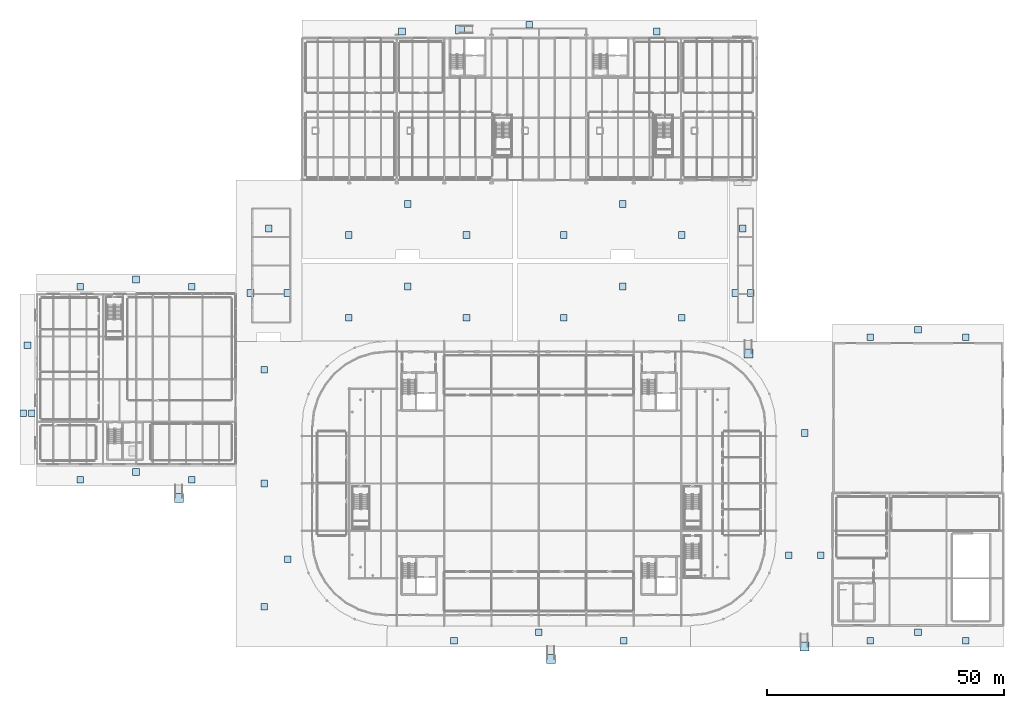
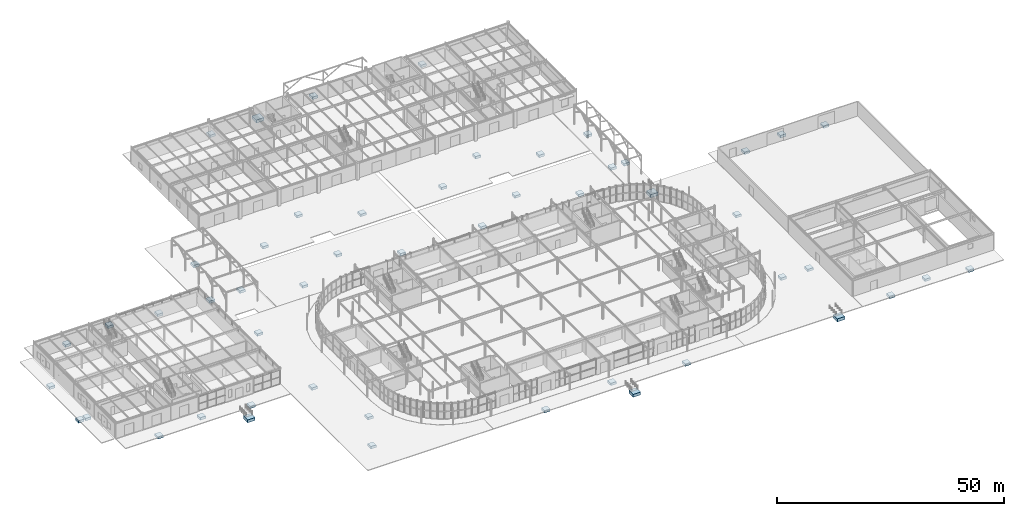
# One storey, part 1 of 119: 51 footings.
"""IFC4 building model written with IfcOpenShell, lengths in metres."""

from ifc_helpers import new_model, si_unit, derived_unit, direction, frame, origin, origin_2d_with_axis, place, context, subcontext, project, spatial, rectangle, extrude, material, layer, layer_set, type_object, element, save


model = new_model("IFC4")

# Units and contexts
model_context = context("Model", 3, precision=1e-05, world=origin(), true_north=direction((0.0, 1.0)))
body_context = subcontext(model_context, "Body", "Model", "MODEL_VIEW")
ifc_project = project(units=[si_unit("LENGTHUNIT", "METRE"), si_unit("AREAUNIT", "SQUARE_METRE"), si_unit("VOLUMEUNIT", "CUBIC_METRE"), si_unit("PLANEANGLEUNIT", "RADIAN"), si_unit("MASSUNIT", "GRAM", prefix="KILO"), derived_unit("THERMALTRANSMITTANCEUNIT", [(si_unit("POWERUNIT", "WATT"), 1), (si_unit("LENGTHUNIT", "METRE"), -2), (si_unit("THERMODYNAMICTEMPERATUREUNIT", "KELVIN"), -1)])], contexts=[model_context])

# Site, building, storey
site_placement = place(None, origin())
site = spatial("IfcSite", under=ifc_project, at=site_placement, CompositionType="ELEMENT")
building_placement = place(site_placement, origin())
building = spatial("IfcBuilding", under=site, at=building_placement, Name="Cinnabar Yard Market Hall", CompositionType="ELEMENT")
storey_placement = place(building_placement, origin())
storey = spatial("IfcBuildingStorey", under=building, at=storey_placement, Name="L00", CompositionType="ELEMENT", Elevation=0.0)

# Footings
ifc_material = material(Name="Concrete 40 MPa", Category="concrete")
ifc_layer_1 = layer(ifc_material, 0.64990234375)
ifc_layer_set_1 = layer_set([ifc_layer_1], Name="Concrete 40 MPa")
footing_type_1 = type_object("IfcFootingType", Name="FT-PF01", PredefinedType="PAD_FOOTING", material=ifc_layer_set_1)
for number, where, z_axis, x_axis, name in (
    (1, (75.867919921875, 78.964111328125, -0.869873046875), (0.0, 0.0, 1.0), (1.0, 0.0, 0.0), "Apron Bearing Pad APR-CHAR-SW-1"),
    (2, (100.73193359375, 78.964111328125, -0.869873046875), (0.0, 0.0, 1.0), (1.0, 0.0, 0.0), "Apron Bearing Pad APR-CHAR-SW-2"),
    (3, (88.300048828125, 85.555908203125, -0.869873046875), (0.0, 0.0, 1.0), (1.0, 0.0, 0.0), "Apron Bearing Pad APR-CHAR-SW-3"),
    (4, (121.26806640625, 78.964111328125, -0.869873046875), (0.0, 0.0, 1.0), (1.0, 0.0, 0.0), "Apron Bearing Pad APR-CHAR-SE-1"),
    (5, (146.132080078125, 78.964111328125, -0.869873046875), (0.0, 0.0, 1.0), (1.0, 0.0, 0.0), "Apron Bearing Pad APR-CHAR-SE-2"),
    (6, (133.699951171875, 85.555908203125, -0.869873046875), (0.0, 0.0, 1.0), (1.0, 0.0, 0.0), "Apron Bearing Pad APR-CHAR-SE-3"),
    (7, (75.867919921875, 96.419921875, -0.869873046875), (0.0, 0.0, 1.0), (1.0, 0.0, 0.0), "Apron Bearing Pad APR-CHAR-NW-1"),
    (8, (100.73193359375, 96.419921875, -0.869873046875), (0.0, 0.0, 1.0), (1.0, 0.0, 0.0), "Apron Bearing Pad APR-CHAR-NW-2"),
    (9, (88.300048828125, 102.97998046875, -0.869873046875), (0.0, 0.0, 1.0), (1.0, 0.0, 0.0), "Apron Bearing Pad APR-CHAR-NW-3"),
    (10, (121.26806640625, 96.419921875, -0.869873046875), (0.0, 0.0, 1.0), (1.0, 0.0, 0.0), "Apron Bearing Pad APR-CHAR-NE-1"),
    (11, (146.132080078125, 96.419921875, -0.869873046875), (0.0, 0.0, 1.0), (1.0, 0.0, 0.0), "Apron Bearing Pad APR-CHAR-NE-2"),
    (12, (133.699951171875, 102.97998046875, -0.869873046875), (0.0, 0.0, 1.0), (1.0, 0.0, 0.0), "Apron Bearing Pad APR-CHAR-NE-3"),
    (13, (55.135986328125, 84.199951171875, -0.849853515625), (0.0, 0.0, 1.0), (1.0, 0.0, 0.0), "Apron Bearing Pad APR-PASG-W-1"),
    (14, (62.864013671875, 84.199951171875, -0.849853515625), (0.0, 0.0, 1.0), (1.0, 0.0, 0.0), "Apron Bearing Pad APR-PASG-W-2"),
    (15, (59.0, 97.800048828125, -0.849853515625), (0.0, 0.0, 1.0), (1.0, 0.0, 0.0), "Apron Bearing Pad APR-PASG-W-3"),
    (16, (157.39794921875, 84.199951171875, -0.849853515625), (0.0, 0.0, 1.0), (1.0, 0.0, 0.0), "Apron Bearing Pad APR-PASG-E-1"),
    (17, (160.701904296875, 84.199951171875, -0.849853515625), (0.0, 0.0, 1.0), (1.0, 0.0, 0.0), "Apron Bearing Pad APR-PASG-E-2"),
    (18, (159.050048828125, 97.800048828125, -0.849853515625), (0.0, 0.0, 1.0), (1.0, 0.0, 0.0), "Apron Bearing Pad APR-PASG-E-3"),
    (19, (87.1201171875, 139.385009765625, -0.869873046875), (0.0, 0.0, 1.0), (1.0, 0.0, 0.0), "Apron Bearing Pad APR-NORTH-1"),
    (20, (140.8798828125, 139.385009765625, -0.869873046875), (0.0, 0.0, 1.0), (1.0, 0.0, 0.0), "Apron Bearing Pad APR-NORTH-2"),
    (21, (114.0, 140.764892578125, -0.869873046875), (0.0, 0.0, 1.0), (1.0, 0.0, 0.0), "Apron Bearing Pad APR-NORTH-3"),
    (22, (98.080078125, 10.837890625, -0.869873046875), (0.0, 0.0, 1.0), (1.0, 0.0, 0.0), "Apron Bearing Pad APR-SOUTH-1"),
    (23, (133.919921875, 10.837890625, -0.869873046875), (0.0, 0.0, 1.0), (1.0, 0.0, 0.0), "Apron Bearing Pad APR-SOUTH-2"),
    (24, (116.0, 12.6220703125, -0.869873046875), (0.0, 0.0, 1.0), (1.0, 0.0, 0.0), "Apron Bearing Pad APR-SOUTH-3"),
    (25, (58.0, 18.0, -0.869873046875), (0.0, 0.0, 1.0), (1.0, 0.0, 0.0), "Forecourt Pad 1"),
    (26, (58.0, 44.0, -0.869873046875), (0.0, 0.0, 1.0), (1.0, 0.0, 0.0), "Forecourt Pad 2"),
    (27, (58.0, 68.0, -0.869873046875), (0.0, 0.0, 1.0), (1.0, 0.0, 0.0), "Forecourt Pad 3"),
    (28, (63.0, 28.0, -0.869873046875), (0.0, 0.0, 1.0), (1.0, 0.0, 0.0), "Forecourt Pad 4"),
    (29, (19.23095703125, 44.7451171875, -0.869873046875), (0.0, 0.0, 1.0), (1.0, 0.0, 0.0), "Apron Bearing Pad APR-WEST-V2-1"),
    (30, (42.72900390625, 44.7451171875, -0.869873046875), (0.0, 0.0, 1.0), (1.0, 0.0, 0.0), "Apron Bearing Pad APR-WEST-V2-2"),
    (31, (30.97998046875, 46.405029296875, -0.869873046875), (0.0, 0.0, 1.0), (1.0, 0.0, 0.0), "Apron Bearing Pad APR-WEST-V2-3"),
    (32, (19.23095703125, 85.5048828125, -0.869873046875), (0.0, 0.0, 1.0), (1.0, 0.0, 0.0), "Apron Bearing Pad APR-NORTH-V2-1"),
    (33, (42.72900390625, 85.5048828125, -0.869873046875), (0.0, 0.0, 1.0), (1.0, 0.0, 0.0), "Apron Bearing Pad APR-NORTH-V2-2"),
    (34, (30.97998046875, 87.044921875, -0.869873046875), (0.0, 0.0, 1.0), (1.0, 0.0, 0.0), "Apron Bearing Pad APR-NORTH-V2-3"),
    (35, (7.193115234375, 58.800048828125, -0.869873046875), (0.0, 0.0, 1.0), (1.0, 0.0, 0.0), "Apron Bearing Pad APR-WEST2-V2-1"),
    (36, (8.95703125, 58.800048828125, -0.869873046875), (0.0, 0.0, 1.0), (1.0, 0.0, 0.0), "Apron Bearing Pad APR-WEST2-V2-2"),
    (37, (8.074951171875, 73.199951171875, -0.869873046875), (0.0, 0.0, 1.0), (1.0, 0.0, 0.0), "Apron Bearing Pad APR-WEST2-V2-3"),
    (38, (168.7109375, 28.85009765625, -0.869873046875), (0.0, 0.0, 1.0), (1.0, 0.0, 0.0), "Apron Bearing Pad APR-EAST-LINK-1"),
    (39, (175.509033203125, 28.85009765625, -0.869873046875), (0.0, 0.0, 1.0), (1.0, 0.0, 0.0), "Apron Bearing Pad APR-EAST-LINK-2"),
    (40, (172.110107421875, 54.64990234375, -0.869873046875), (0.0, 0.0, 1.0), (1.0, 0.0, 0.0), "Apron Bearing Pad APR-EAST-LINK-3"),
    (41, (185.919921875, 74.81396484375, -0.869873046875), (0.0, 0.0, 1.0), (1.0, 0.0, 0.0), "Apron Bearing Pad APR-SYARD-N-1"),
    (42, (206.080078125, 74.81396484375, -0.869873046875), (0.0, 0.0, 1.0), (1.0, 0.0, 0.0), "Apron Bearing Pad APR-SYARD-N-2"),
    (43, (196.0, 76.406005859375, -0.869873046875), (0.0, 0.0, 1.0), (1.0, 0.0, 0.0), "Apron Bearing Pad APR-SYARD-N-3"),
    (44, (185.919921875, 10.837890625, -0.869873046875), (0.0, 0.0, 1.0), (1.0, 0.0, 0.0), "Apron Bearing Pad APR-DOCK-S-1"),
    (45, (206.080078125, 10.837890625, -0.869873046875), (0.0, 0.0, 1.0), (1.0, 0.0, 0.0), "Apron Bearing Pad APR-DOCK-S-2"),
    (46, (196.0, 12.6220703125, -0.869873046875), (0.0, 0.0, 1.0), (1.0, 0.0, 0.0), "Apron Bearing Pad APR-DOCK-S-3"),
):
    element("IfcFooting", number, at=place(storey_placement, frame(where, z_axis=z_axis, x_axis=x_axis)), inside=storey, type_object=footing_type_1, Name=name, PredefinedType="PAD_FOOTING", context=body_context, shape_type="SweptSolid", body=[
        extrude(rectangle(XDim=1.39990234375, YDim=1.39990234375, at=origin_2d_with_axis()), origin(), (0.0, 0.0, 1.0), 0.64990234375),
    ])
ifc_layer_2 = layer(ifc_material, 0.780029296875)
ifc_layer_set_2 = layer_set([ifc_layer_2], Name="Concrete 40 MPa")
footing_type_2 = type_object("IfcFootingType", Name="FT-PF03", PredefinedType="PAD_FOOTING", material=ifc_layer_set_2)
for number, where, z_axis, x_axis, name in (
    (47, (99.300048828125, 139.800048828125, -1.18017578125), (0.0, 0.0, 1.0), (1.0, 0.0, 0.0), "Ramp Toe Pad 1"),
    (48, (118.5, 6.949951171875, -1.18017578125), (0.0, 0.0, 1.0), (1.0, 0.0, 0.0), "Ramp Toe Pad 2"),
    (49, (40.0, 40.949951171875, -1.18017578125), (0.0, 0.0, 1.0), (1.0, 0.0, 0.0), "Ramp Toe Pad 3"),
    (50, (160.199951171875, 71.449951171875, -1.18017578125), (0.0, 0.0, 1.0), (1.0, 0.0, 0.0), "Ramp Toe Pad 4"),
    (51, (172.0, 9.550048828125, -1.18017578125), (0.0, 0.0, 1.0), (1.0, 0.0, 0.0), "Ramp Toe Pad 5"),
):
    element("IfcFooting", number, at=place(storey_placement, frame(where, z_axis=z_axis, x_axis=x_axis)), inside=storey, type_object=footing_type_2, Name=name, PredefinedType="PAD_FOOTING", context=body_context, shape_type="SweptSolid", body=[
        extrude(rectangle(XDim=1.89990234375, YDim=1.89990234375, at=origin_2d_with_axis()), origin(), (0.0, 0.0, 1.0), 0.780029296875),
    ])

save(model, "model.ifc")
